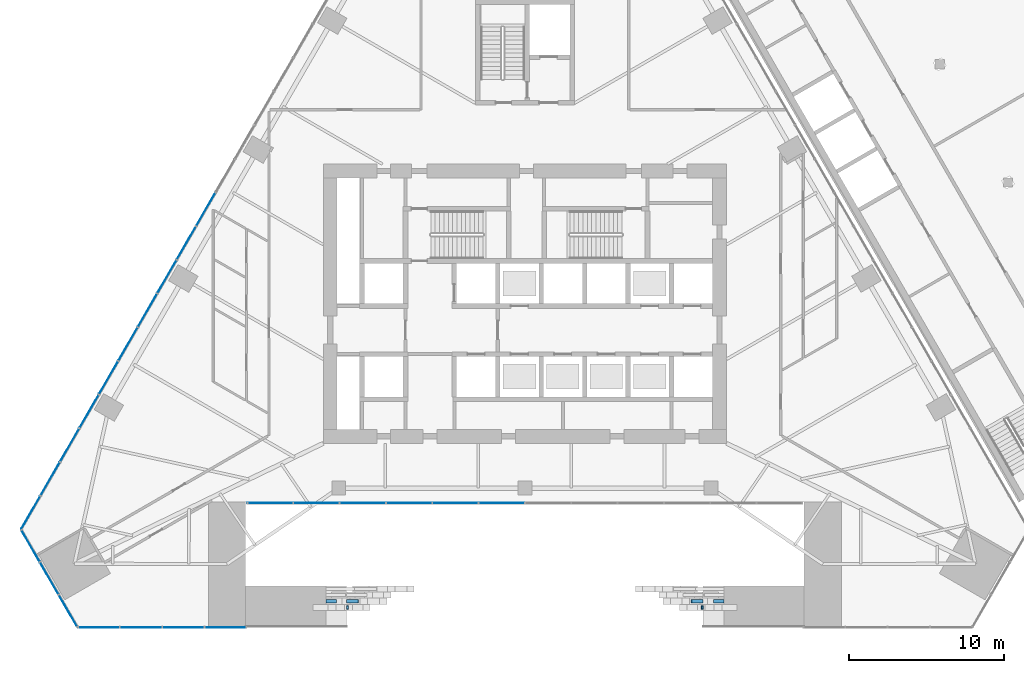
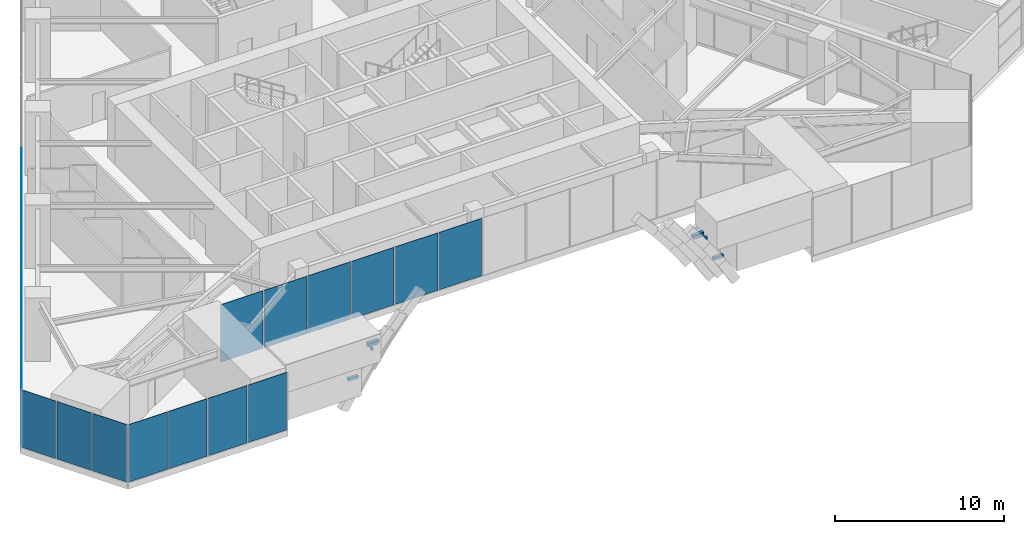
# One storey, part 14 of 29: 23 plates, 8 beams, 4 elements without a shape of their own.
"""IFC4 building model written with IfcOpenShell, lengths in metres."""

import ifcopenshell
import ifcopenshell.guid

model = None  # the IFC model being written
_history = None  # IfcOwnerHistory: only IFC2X3 demands one
_inside = {}  # id of a spatial element -> (the spatial element, [elements in it])
_under = {}  # id of a project, library or spatial element -> (it, [spatial elements below it])
_declared = {}  # id of a project -> (the project, [libraries it declares])
_typed = {}  # id of a type object -> (the type object, [elements of that type])
_made_of = {}  # id of a material, layer set ... -> (it, [elements and type objects made of it])


def new_model(schema):
    """Start an empty IFC model of exactly this schema.

    Asked for "IFC4X3", IfcOpenShell would pick the latest addendum, in which some entities
    have other attributes; the version numbers below select the first issue.
    IFC2X3 requires an IfcOwnerHistory on every rooted entity: one is made here for all.
    """
    global model, _history
    if schema == "IFC4X3":
        model = ifcopenshell.file(schema_version=(4, 3, 0, 0))
    else:
        model = ifcopenshell.file(schema=schema)
    _inside.clear()
    _under.clear()
    _declared.clear()
    _typed.clear()
    _made_of.clear()
    _history = None
    if model.schema == "IFC2X3":
        org = make("IfcOrganization", Name="unknown")
        user = make(
            "IfcPersonAndOrganization",
            ThePerson=make("IfcPerson", FamilyName="unknown"),
            TheOrganization=org,
        )
        app = make(
            "IfcApplication",
            ApplicationDeveloper=org,
            Version="unknown",
            ApplicationFullName="unknown",
            ApplicationIdentifier="unknown",
        )
        _history = make(
            "IfcOwnerHistory",
            OwningUser=user,
            OwningApplication=app,
            ChangeAction="ADDED",
            CreationDate=0,
        )
    return model


def make(cls, **values):
    """One entity of the class cls with the attributes given. An attribute that is None is left unset."""
    return model.create_entity(
        cls, **{name: value for name, value in values.items() if value is not None}
    )


def rooted(cls, **values):
    """An entity with a GlobalId (a new one), such as an element, a storey or a relation."""
    return make(cls, GlobalId=ifcopenshell.guid.new(), OwnerHistory=_history, **values)


def si_unit(unit_type, name, prefix=None):
    """IfcSIUnit, for example si_unit("LENGTHUNIT", "METRE", prefix="MILLI")."""
    return make("IfcSIUnit", UnitType=unit_type, Prefix=prefix, Name=name)


def assignment(units):
    """IfcUnitAssignment: the units of a project."""
    return None if units is None else make("IfcUnitAssignment", Units=units)


def point(xyz):
    """IfcCartesianPoint."""
    return None if xyz is None else make("IfcCartesianPoint", Coordinates=xyz)


def direction(xyz):
    """IfcDirection."""
    return None if xyz is None else make("IfcDirection", DirectionRatios=xyz)


def frame(location, z_axis=None, x_axis=None):
    """IfcAxis2Placement3D, a coordinate frame: its origin and axes. An axis left out is left unset."""
    return make(
        "IfcAxis2Placement3D",
        Location=point(location),
        Axis=direction(z_axis),
        RefDirection=direction(x_axis),
    )


def frame_2d(location, x_axis=None):
    """IfcAxis2Placement2D, a coordinate frame in the plane: its origin and x axis."""
    return make(
        "IfcAxis2Placement2D", Location=point(location), RefDirection=direction(x_axis)
    )


def origin():
    """The frame at (0, 0, 0) with its axes left unset."""
    return frame((0.0, 0.0, 0.0))


def origin_2d():
    """The frame at (0, 0) in the plane with its x axis left unset."""
    return frame_2d((0.0, 0.0))


def place(relative_to, where):
    """IfcLocalPlacement: puts the frame where relative to a parent placement (None: the world)."""
    return make(
        "IfcLocalPlacement", PlacementRelTo=relative_to, RelativePlacement=where
    )


def context(
    kind, dimensions, precision=None, world=None, true_north=None, identifier=None
):
    """IfcGeometricRepresentationContext, for example the 3D "Model" context."""
    return make(
        "IfcGeometricRepresentationContext",
        ContextIdentifier=identifier,
        ContextType=kind,
        CoordinateSpaceDimension=dimensions,
        Precision=precision,
        WorldCoordinateSystem=world,
        TrueNorth=true_north,
    )


def subcontext(parent, identifier, kind, view, scale=None):
    """IfcGeometricRepresentationSubContext, for example "Body" below "Model"."""
    return make(
        "IfcGeometricRepresentationSubContext",
        ContextIdentifier=identifier,
        ContextType=kind,
        ParentContext=parent,
        TargetScale=scale,
        TargetView=view,
    )


def project(units=None, contexts=None):
    """IfcProject with its units and contexts."""
    return rooted(
        "IfcProject",
        Name="project",
        RepresentationContexts=contexts,
        UnitsInContext=assignment(units),
    )


def spatial(cls, under=None, at=None, **own):
    """A site, building, storey or space (cls), placed at a placement, below another one or the project."""
    s = rooted(cls, ObjectPlacement=at, **own)
    if under is not None:
        _under.setdefault(under.id(), (under, []))[1].append(s)
    return s


def polyline(points):
    """IfcPolyline through the points."""
    return make("IfcPolyline", Points=[point(p) for p in points])


def profile(cls, at=None, kind="AREA", **sizes):
    """A parametric profile (cls). Its sizes go by their IFC names, for example OverallWidth=200.0."""
    return make(cls, ProfileType=kind, Position=at, **sizes)


def rectangle(**sizes):
    """IfcRectangleProfileDef."""
    return profile("IfcRectangleProfileDef", **sizes)


def outline(outer, holes=None, kind="AREA"):
    """IfcArbitraryClosedProfileDef: a profile drawn as a closed curve; with holes, ...WithVoids."""
    if holes is None:
        return make("IfcArbitraryClosedProfileDef", ProfileType=kind, OuterCurve=outer)
    return make(
        "IfcArbitraryProfileDefWithVoids",
        ProfileType=kind,
        OuterCurve=outer,
        InnerCurves=holes,
    )


def extrude(swept, where, along, depth):
    """IfcExtrudedAreaSolid: the profile swept, set in the frame where, extruded along a direction by depth."""
    return make(
        "IfcExtrudedAreaSolid",
        SweptArea=swept,
        Position=where,
        ExtrudedDirection=direction(along),
        Depth=depth,
    )


def shape(context_of_items, identifier, shape_type, items):
    """IfcShapeRepresentation: the items that make up one representation, for example the "Body"."""
    return make(
        "IfcShapeRepresentation",
        ContextOfItems=context_of_items,
        RepresentationIdentifier=identifier,
        RepresentationType=shape_type,
        Items=items,
    )


def material(Name=None, Category=None):
    """IfcMaterial."""
    return make("IfcMaterial", Name=Name, Category=Category)


def layer(
    of_material, thickness, ventilated=None, Name=None, Category=None, Priority=None
):
    """IfcMaterialLayer: one layer of a wall or slab, of a material (None: an air gap)."""
    return make(
        "IfcMaterialLayer",
        Material=of_material,
        LayerThickness=thickness,
        IsVentilated=ventilated,
        Name=Name,
        Category=Category,
        Priority=Priority,
    )


def layer_set(layers, Name=None):
    """IfcMaterialLayerSet."""
    return make("IfcMaterialLayerSet", MaterialLayers=layers, LayerSetName=Name)


def material_profile(
    of_material, cross_section, Name=None, Category=None, Priority=None
):
    """IfcMaterialProfile: a cross section and its material."""
    return make(
        "IfcMaterialProfile",
        Name=Name,
        Material=of_material,
        Profile=cross_section,
        Priority=Priority,
        Category=Category,
    )


def profile_set(profiles, Name=None, composite=None):
    """IfcMaterialProfileSet."""
    return make(
        "IfcMaterialProfileSet",
        Name=Name,
        MaterialProfiles=profiles,
        CompositeProfile=composite,
    )


def made_of(thing, what):
    """Note that an element or type object is made of a material, layer set ...; save() writes the relation."""
    if what is not None:
        _made_of.setdefault(what.id(), (what, []))[1].append(thing)
    return thing


def type_object(cls, material=None, **own):
    """A type object (cls), such as IfcWallType, which elements share."""
    return made_of(rooted(cls, **own), material)


def element(
    cls,
    number,
    at=None,
    inside=None,
    cuts=None,
    type_object=None,
    material=None,
    context=None,
    identifier="Body",
    shape_type=None,
    held_by="IfcProductDefinitionShape",
    body=None,
    shapes=None,
    **own,
):
    """One element of the class cls, such as IfcWall. Its Tag is "e" and its number.

    at: its placement. inside: the storey or other place that contains it. cuts: it is an
    opening in that element (IfcRelVoidsElement). A single representation is given by context,
    identifier, shape_type and body (its items); several are given by shapes. held_by: the class
    of the entity that holds the representations. save() writes the other relations.
    """
    e = rooted(cls, Tag="e%d" % number, ObjectPlacement=at, **own)
    if body is not None:
        shapes = [shape(context, identifier, shape_type, body)]
    if shapes is not None:
        e.Representation = make(held_by, Representations=shapes)
    if inside is not None:
        _inside.setdefault(inside.id(), (inside, []))[1].append(e)
    if cuts is not None:
        rooted(
            "IfcRelVoidsElement", RelatingBuildingElement=cuts, RelatedOpeningElement=e
        )
    if type_object is not None:
        _typed.setdefault(type_object.id(), (type_object, []))[1].append(e)
    return made_of(e, material)


def aggregate(whole, parts):
    """IfcRelAggregates: a whole, such as a stair, and the parts it consists of."""
    return rooted("IfcRelAggregates", RelatingObject=whole, RelatedObjects=parts)


def save(model, path):
    """Write the relations noted so far, then the file.

    IfcRelAggregates (storeys below a building ...), IfcRelContainedInSpatialStructure (elements
    in a storey), IfcRelDefinesByType, IfcRelAssociatesMaterial and IfcRelDeclares: one each for
    every whole, place, type object, material and project.
    """
    for whole, parts in _under.values():
        aggregate(whole, parts)
    for where, things in _inside.values():
        rooted(
            "IfcRelContainedInSpatialStructure",
            RelatedElements=things,
            RelatingStructure=where,
        )
    for kind, things in _typed.values():
        rooted("IfcRelDefinesByType", RelatedObjects=things, RelatingType=kind)
    for what, things in _made_of.values():
        rooted("IfcRelAssociatesMaterial", RelatedObjects=things, RelatingMaterial=what)
    for by, libraries in _declared.values():
        rooted("IfcRelDeclares", RelatingContext=by, RelatedDefinitions=libraries)
    model.write(path)


model = new_model("IFC4")

# Units and contexts
model_context = context("Model", 3, precision=1e-05, world=origin(), true_north=direction((0.0, 1.0)))
body_context = subcontext(model_context, "Body", "Model", "MODEL_VIEW")
ifc_project = project(units=[si_unit("LENGTHUNIT", "METRE"), si_unit("AREAUNIT", "SQUARE_METRE"), si_unit("VOLUMEUNIT", "CUBIC_METRE"), si_unit("PLANEANGLEUNIT", "RADIAN"), si_unit("MASSUNIT", "GRAM", prefix="KILO")], contexts=[model_context])

# Site, building, storey
site_placement = place(None, origin())
site = spatial("IfcSite", under=ifc_project, at=site_placement, CompositionType="ELEMENT")
building_placement = place(site_placement, origin())
building = spatial("IfcBuilding", under=site, at=building_placement, Name="Firuza Gate Tower and Library", CompositionType="ELEMENT")
storey_placement = place(building_placement, frame((0.0, 0.0, 17.199951171875)))
storey = spatial("IfcBuildingStorey", under=building, at=storey_placement, Name="L03", CompositionType="ELEMENT", Elevation=17.199951171875)

# Beams
ifc_material_1 = material(Name="Concrete C60/75", Category="concrete")
ifc_material_profile = material_profile(ifc_material_1, rectangle(XDim=0.199951171875, YDim=0.199951171875, at=origin_2d()))
ifc_profile_set = profile_set([ifc_material_profile], Name="Concrete C60/75")
beam_type = type_object("IfcBeamType", Name="Arch rib bracket 200x200", PredefinedType="BEAM", material=ifc_profile_set)
for number, where, z_axis, x_axis, name in (
    (1, (63.508056640625, 55.415283203125, 2.95947265625), (1.0, 0.0, 0.0), (0.0, 1.0, 0.0), "Arch rib bracket 1.12"),
    (2, (86.491943359375, 55.415283203125, 2.95947265625), (-1.0, 0.0, 0.0), (0.0, -1.0, 0.0), "Arch rib bracket 1.27"),
):
    element("IfcBeam", number, at=place(storey_placement, frame(where, z_axis=z_axis, x_axis=x_axis)), inside=storey, type_object=beam_type, Name=name, PredefinedType="BEAM", context=body_context, shape_type="SweptSolid", body=[
        extrude(rectangle(XDim=0.199951171875, YDim=0.199951171875, at=origin_2d()), origin(), (0.0, 0.0, 1.0), 0.117431640625),
    ])
beam_1_placement = place(storey_placement, frame((62.16552734375, 55.8154296875, 0.972900390625), z_axis=(1.0, 0.0, 0.0), x_axis=(0.0, 1.0, 0.0)))
element("IfcBeam", 3, at=beam_1_placement, inside=storey, type_object=beam_type, Name="Arch rib bracket 2.10", PredefinedType="BEAM", context=body_context, shape_type="SweptSolid", body=[
    extrude(rectangle(XDim=0.199951171875, YDim=0.199951171875, at=origin_2d()), origin(), (0.0, 0.0, 1.0), 0.682861328125),
])
beam_2_placement = place(storey_placement, frame((63.508056640625, 55.8154296875, 2.97119140625), z_axis=(1.0, 0.0, 0.0), x_axis=(0.0, 1.0, 0.0)))
element("IfcBeam", 4, at=beam_2_placement, inside=storey, type_object=beam_type, Name="Arch rib bracket 2.11", PredefinedType="BEAM", context=body_context, shape_type="SweptSolid", body=[
    extrude(rectangle(XDim=0.199951171875, YDim=0.199951171875, at=origin_2d()), origin(), (0.0, 0.0, 1.0), 0.7177734375),
])
for number, where, z_axis, x_axis, name in (
    (5, (63.508056640625, 55.8154296875, 3.0712890625), (1.0, 0.0, 0.0), (0.0, 1.0, 0.0), "Arch rib bracket 2.12"),
    (6, (86.491943359375, 55.8154296875, 3.0712890625), (-1.0, 0.0, 0.0), (0.0, -1.0, 0.0), "Arch rib bracket 2.25"),
):
    element("IfcBeam", number, at=place(storey_placement, frame(where, z_axis=z_axis, x_axis=x_axis)), inside=storey, type_object=beam_type, Name=name, PredefinedType="BEAM", context=body_context, shape_type="SweptSolid", body=[
        extrude(rectangle(XDim=0.199951171875, YDim=0.199951171875, at=origin_2d()), origin(), (0.0, 0.0, 1.0), 0.77685546875),
    ])
beam_3_placement = place(storey_placement, frame((86.491943359375, 55.8154296875, 2.97119140625), z_axis=(-1.0, 0.0, 0.0), x_axis=(0.0, -1.0, 0.0)))
element("IfcBeam", 7, at=beam_3_placement, inside=storey, type_object=beam_type, Name="Arch rib bracket 2.26", PredefinedType="BEAM", context=body_context, shape_type="SweptSolid", body=[
    extrude(rectangle(XDim=0.199951171875, YDim=0.199951171875, at=origin_2d()), origin(), (0.0, 0.0, 1.0), 0.7177734375),
])
beam_4_placement = place(storey_placement, frame((87.83447265625, 55.8154296875, 0.972900390625), z_axis=(-1.0, 0.0, 0.0), x_axis=(0.0, -1.0, 0.0)))
element("IfcBeam", 8, at=beam_4_placement, inside=storey, type_object=beam_type, Name="Arch rib bracket 2.27", PredefinedType="BEAM", context=body_context, shape_type="SweptSolid", body=[
    extrude(rectangle(XDim=0.199951171875, YDim=0.199951171875, at=origin_2d()), origin(), (0.0, 0.0, 1.0), 0.682861328125),
])

# Curtain wall, plates
ifc_material_2 = material(Name="Aluminium 6063-T6", Category="aluminium")
ifc_layer_1 = layer(ifc_material_2, 0.14990234375)
ifc_layer_set_1 = layer_set([ifc_layer_1], Name="Stick curtain wall, podium")
curtain_wall_type_1 = type_object("IfcCurtainWallType", Name="Stick curtain wall, podium", PredefinedType="NOTDEFINED", material=ifc_layer_set_1)
placement = place(storey_placement, origin())
curtain_wall_1 = element("IfcCurtainWall", 9, at=placement, inside=storey, type_object=curtain_wall_type_1, Name="CW5 L03 S", PredefinedType="NOTDEFINED")
ifc_material_3 = material(Name="Fritted glass", Category="glass")
ifc_layer_2 = layer(ifc_material_3, 0.030029296875)
ifc_layer_set_2 = layer_set([ifc_layer_2], Name="Clear glass unit, podium")
plate_type = type_object("IfcPlateType", Name="Clear glass unit, podium", PredefinedType="CURTAIN_PANEL", material=ifc_layer_set_2)
plate_1_placement = place(storey_placement, frame((46.19677734375, 54.12548828125, 0.150146484375), z_axis=(0.0, -1.0, 0.0), x_axis=(1.0, 0.0, 0.0)))
plate_1 = element("IfcPlate", 10, at=plate_1_placement, type_object=plate_type, Name="Glass unit", PredefinedType="CURTAIN_PANEL", context=body_context, shape_type="SweptSolid", body=[
    extrude(outline(polyline([(0.0, 0.0), (2.6494140625, 0.0), (2.6494140625, 4.14990234375), (0.0, 4.14990234375), (0.0, 0.0)])), origin(), (0.0, 0.0, -1.0), 0.030029296875),
])
plate_2_placement = place(storey_placement, frame((48.92626953125, 54.12548828125, 0.150146484375), z_axis=(0.0, -1.0, 0.0), x_axis=(1.0, 0.0, 0.0)))
plate_2 = element("IfcPlate", 11, at=plate_2_placement, type_object=plate_type, Name="Glass unit", PredefinedType="CURTAIN_PANEL", context=body_context, shape_type="SweptSolid", body=[
    extrude(outline(polyline([(0.0, 0.0), (2.649658203125, 0.0), (2.649658203125, 4.14990234375), (0.0, 4.14990234375), (0.0, 0.0)])), origin(), (0.0, 0.0, -1.0), 0.030029296875),
])
plate_3_placement = place(storey_placement, frame((51.65576171875, 54.12548828125, 0.150146484375), z_axis=(0.0, -1.0, 0.0), x_axis=(1.0, 0.0, 0.0)))
plate_3 = element("IfcPlate", 12, at=plate_3_placement, type_object=plate_type, Name="Glass unit", PredefinedType="CURTAIN_PANEL", context=body_context, shape_type="SweptSolid", body=[
    extrude(outline(polyline([(0.0, 0.0), (2.649658203125, 0.0), (2.649658203125, 4.14990234375), (0.0, 4.14990234375), (0.0, 0.0)])), origin(), (0.0, 0.0, -1.0), 0.030029296875),
])
plate_4_placement = place(storey_placement, frame((54.385498046875, 54.12548828125, 0.150146484375), z_axis=(0.0, -1.0, 0.0), x_axis=(1.0, 0.0, 0.0)))
plate_4 = element("IfcPlate", 13, at=plate_4_placement, type_object=plate_type, Name="Glass unit", PredefinedType="CURTAIN_PANEL", context=body_context, shape_type="SweptSolid", body=[
    extrude(outline(polyline([(0.0, 0.0), (2.6494140625, 0.0), (2.6494140625, 4.14990234375), (0.0, 4.14990234375), (0.0, 0.0)])), origin(), (0.0, 0.0, -1.0), 0.030029296875),
])
aggregate(curtain_wall_1, [plate_1, plate_2, plate_3, plate_4])

ifc_material_4 = material(Name="Aluminium 6063-T6", Category="aluminium")
ifc_layer_3 = layer(ifc_material_4, 0.14990234375)
ifc_layer_set_3 = layer_set([ifc_layer_3], Name="Stick curtain wall, gate lobby")
curtain_wall_type_2 = type_object("IfcCurtainWallType", Name="Stick curtain wall, gate lobby", PredefinedType="NOTDEFINED", material=ifc_layer_set_3)
curtain_wall_2 = element("IfcCurtainWall", 14, at=placement, inside=storey, type_object=curtain_wall_type_2, Name="CW7 L03 gate lobby", PredefinedType="NOTDEFINED")
plate_5_placement = place(storey_placement, frame((57.114990234375, 62.12548828125, 0.150146484375), z_axis=(0.0, -1.0, 0.0), x_axis=(1.0, 0.0, 0.0)))
plate_5 = element("IfcPlate", 15, at=plate_5_placement, type_object=plate_type, Name="Glass unit", PredefinedType="CURTAIN_PANEL", context=body_context, shape_type="SweptSolid", body=[
    extrude(outline(polyline([(0.0, 0.0), (2.907470703125, 0.0), (2.907470703125, 4.14990234375), (0.0, 4.14990234375), (0.0, 0.0)])), origin(), (0.0, 0.0, -1.0), 0.030029296875),
])
plate_6_placement = place(storey_placement, frame((60.1025390625, 62.12548828125, 0.150146484375), z_axis=(0.0, -1.0, 0.0), x_axis=(1.0, 0.0, 0.0)))
plate_6 = element("IfcPlate", 16, at=plate_6_placement, type_object=plate_type, Name="Glass unit", PredefinedType="CURTAIN_PANEL", context=body_context, shape_type="SweptSolid", body=[
    extrude(outline(polyline([(0.0, 0.0), (2.907470703125, 0.0), (2.907470703125, 4.14990234375), (0.0, 4.14990234375), (0.0, 0.0)])), origin(), (0.0, 0.0, -1.0), 0.030029296875),
])
plate_7_placement = place(storey_placement, frame((63.090087890625, 62.12548828125, 0.150146484375), z_axis=(0.0, -1.0, 0.0), x_axis=(1.0, 0.0, 0.0)))
plate_7 = element("IfcPlate", 17, at=plate_7_placement, type_object=plate_type, Name="Glass unit", PredefinedType="CURTAIN_PANEL", context=body_context, shape_type="SweptSolid", body=[
    extrude(outline(polyline([(0.0, 0.0), (2.907470703125, 0.0), (2.907470703125, 4.14990234375), (0.0, 4.14990234375), (0.0, 0.0)])), origin(), (0.0, 0.0, -1.0), 0.030029296875),
])
plate_8_placement = place(storey_placement, frame((66.077392578125, 62.12548828125, 0.150146484375), z_axis=(0.0, -1.0, 0.0), x_axis=(1.0, 0.0, 0.0)))
plate_8 = element("IfcPlate", 18, at=plate_8_placement, type_object=plate_type, Name="Glass unit", PredefinedType="CURTAIN_PANEL", context=body_context, shape_type="SweptSolid", body=[
    extrude(outline(polyline([(0.0, 0.0), (2.90771484375, 0.0), (2.90771484375, 4.14990234375), (0.0, 4.14990234375), (0.0, 0.0)])), origin(), (0.0, 0.0, -1.0), 0.030029296875),
])
plate_9_placement = place(storey_placement, frame((69.06494140625, 62.12548828125, 0.150146484375), z_axis=(0.0, -1.0, 0.0), x_axis=(1.0, 0.0, 0.0)))
plate_9 = element("IfcPlate", 19, at=plate_9_placement, type_object=plate_type, Name="Glass unit", PredefinedType="CURTAIN_PANEL", context=body_context, shape_type="SweptSolid", body=[
    extrude(outline(polyline([(0.0, 0.0), (2.907470703125, 0.0), (2.907470703125, 4.14990234375), (0.0, 4.14990234375), (0.0, 0.0)])), origin(), (0.0, 0.0, -1.0), 0.030029296875),
])
plate_10_placement = place(storey_placement, frame((72.052490234375, 62.12548828125, 0.150146484375), z_axis=(0.0, -1.0, 0.0), x_axis=(1.0, 0.0, 0.0)))
plate_10 = element("IfcPlate", 20, at=plate_10_placement, type_object=plate_type, Name="Glass unit", PredefinedType="CURTAIN_PANEL", context=body_context, shape_type="SweptSolid", body=[
    extrude(outline(polyline([(0.0, 0.0), (2.907470703125, 0.0), (2.907470703125, 4.14990234375), (0.0, 4.14990234375), (0.0, 0.0)])), origin(), (0.0, 0.0, -1.0), 0.030029296875),
])
aggregate(curtain_wall_2, [plate_5, plate_6, plate_7, plate_8, plate_9, plate_10])

curtain_wall_3 = element("IfcCurtainWall", 21, at=placement, inside=storey, type_object=curtain_wall_type_1, Name="CW5 L03 W", PredefinedType="NOTDEFINED")
plate_11_placement = place(storey_placement, frame((55.02099609375, 82.14453125, 0.150146484375), z_axis=(-0.866013120021, 0.500021275498, 0.0), x_axis=(-0.500021275498, -0.866013120021, 0.0)))
plate_11 = element("IfcPlate", 22, at=plate_11_placement, type_object=plate_type, Name="Glass unit", PredefinedType="CURTAIN_PANEL", context=body_context, shape_type="SweptSolid", body=[
    extrude(outline(polyline([(0.0, 0.0), (2.428119337352694, 0.0), (2.428119337352694, 4.149902343749999), (0.0, 4.149902343749999), (0.0, 0.0)])), origin(), (0.0, 0.0, -1.0), 0.030029296875),
])
plate_12_placement = place(storey_placement, frame((53.766845703125, 79.972412109375, 0.150146484375), z_axis=(-0.866056658381, 0.499945861543, 0.0), x_axis=(-0.499945861543, -0.866056658381, 0.0)))
plate_12 = element("IfcPlate", 23, at=plate_12_placement, type_object=plate_type, Name="Glass unit", PredefinedType="CURTAIN_PANEL", context=body_context, shape_type="SweptSolid", body=[
    extrude(outline(polyline([(0.0, 0.0), (2.4279972710515545, 0.0), (2.4279972710515545, 4.14990234375), (0.0, 4.14990234375), (0.0, 0.0)])), origin(), (0.0, 0.0, -1.0), 0.030029296875),
])
plate_13_placement = place(storey_placement, frame((52.512939453125, 77.80029296875, 0.150146484375), z_axis=(-0.866013120021, 0.500021275498, 0.0), x_axis=(-0.500021275498, -0.866013120021, 0.0)))
plate_13 = element("IfcPlate", 24, at=plate_13_placement, type_object=plate_type, Name="Glass unit", PredefinedType="CURTAIN_PANEL", context=body_context, shape_type="SweptSolid", body=[
    extrude(outline(polyline([(0.0, 0.0), (2.428119337352694, 0.0), (2.428119337352694, 4.149902343749999), (0.0, 4.149902343749999), (0.0, 0.0)])), origin(), (0.0, 0.0, -1.0), 0.030029296875),
])
plate_14_placement = place(storey_placement, frame((51.2587890625, 75.628173828125, 0.150146484375), z_axis=(-0.866013120021, 0.500021275498, 0.0), x_axis=(-0.500021275498, -0.866013120021, 0.0)))
plate_14 = element("IfcPlate", 25, at=plate_14_placement, type_object=plate_type, Name="Glass unit", PredefinedType="CURTAIN_PANEL", context=body_context, shape_type="SweptSolid", body=[
    extrude(outline(polyline([(0.0, 0.0), (2.428119337352694, 0.0), (2.428119337352694, 4.149902343749999), (0.0, 4.149902343749999), (0.0, 0.0)])), origin(), (0.0, 0.0, -1.0), 0.030029296875),
])
plate_15_placement = place(storey_placement, frame((50.004638671875, 73.4560546875, 0.150146484375), z_axis=(-0.866056658381, 0.499945861543, 0.0), x_axis=(-0.499945861543, -0.866056658381, 0.0)))
plate_15 = element("IfcPlate", 26, at=plate_15_placement, type_object=plate_type, Name="Glass unit", PredefinedType="CURTAIN_PANEL", context=body_context, shape_type="SweptSolid", body=[
    extrude(outline(polyline([(0.0, 0.0), (2.4279972710515545, 0.0), (2.4279972710515545, 4.14990234375), (0.0, 4.14990234375), (0.0, 0.0)])), origin(), (0.0, 0.0, -1.0), 0.030029296875),
])
plate_16_placement = place(storey_placement, frame((48.750732421875, 71.2841796875, 0.150146484375), z_axis=(-0.86603825568, 0.499977739203, 0.0), x_axis=(-0.499977739203, -0.86603825568, 0.0)))
plate_16 = element("IfcPlate", 27, at=plate_16_placement, type_object=plate_type, Name="Glass unit", PredefinedType="CURTAIN_PANEL", context=body_context, shape_type="SweptSolid", body=[
    extrude(outline(polyline([(0.0, 0.0), (2.428330769405526, 0.0), (2.428330769405526, 4.14990234375), (0.0, 4.14990234375), (0.0, 0.0)])), origin(), (0.0, 0.0, -1.0), 0.030029296875),
])
plate_17_placement = place(storey_placement, frame((47.49658203125, 69.112060546875, 0.150146484375), z_axis=(-0.866013120021, 0.500021275498, 0.0), x_axis=(-0.500021275498, -0.866013120021, 0.0)))
plate_17 = element("IfcPlate", 28, at=plate_17_placement, type_object=plate_type, Name="Glass unit", PredefinedType="CURTAIN_PANEL", context=body_context, shape_type="SweptSolid", body=[
    extrude(outline(polyline([(0.0, 0.0), (2.428119337352694, 0.0), (2.428119337352694, 4.149902343749999), (0.0, 4.149902343749999), (0.0, 0.0)])), origin(), (0.0, 0.0, -1.0), 0.030029296875),
])
plate_18_placement = place(storey_placement, frame((46.24267578125, 66.93994140625, 0.150146484375), z_axis=(-0.866013120021, 0.500021275498, 0.0), x_axis=(-0.500021275498, -0.866013120021, 0.0)))
plate_18 = element("IfcPlate", 29, at=plate_18_placement, type_object=plate_type, Name="Glass unit", PredefinedType="CURTAIN_PANEL", context=body_context, shape_type="SweptSolid", body=[
    extrude(outline(polyline([(0.0, 0.0), (2.428119337352694, 0.0), (2.428119337352694, 4.149902343749999), (0.0, 4.149902343749999), (0.0, 0.0)])), origin(), (0.0, 0.0, -1.0), 0.030029296875),
])
plate_19_placement = place(storey_placement, frame((44.988525390625, 64.767822265625, 0.150146484375), z_axis=(-0.866013120021, 0.500021275498, 0.0), x_axis=(-0.500021275498, -0.866013120021, 0.0)))
plate_19 = element("IfcPlate", 30, at=plate_19_placement, type_object=plate_type, Name="Glass unit", PredefinedType="CURTAIN_PANEL", context=body_context, shape_type="SweptSolid", body=[
    extrude(outline(polyline([(0.0, 0.0), (2.428119337352694, 0.0), (2.428119337352694, 4.149902343749999), (0.0, 4.149902343749999), (0.0, 0.0)])), origin(), (0.0, 0.0, -1.0), 0.030029296875),
])
plate_20_placement = place(storey_placement, frame((43.734375, 62.595703125, 0.150146484375), z_axis=(-0.866056658381, 0.499945861543, 0.0), x_axis=(-0.499945861543, -0.866056658381, 0.0)))
plate_20 = element("IfcPlate", 31, at=plate_20_placement, type_object=plate_type, Name="Glass unit", PredefinedType="CURTAIN_PANEL", context=body_context, shape_type="SweptSolid", body=[
    extrude(outline(polyline([(0.0, 0.0), (2.4279972710515545, 0.0), (2.4279972710515545, 4.14990234375), (0.0, 4.14990234375), (0.0, 0.0)])), origin(), (0.0, 0.0, -1.0), 0.030029296875),
])
aggregate(curtain_wall_3, [plate_11, plate_12, plate_13, plate_14, plate_15, plate_16, plate_17, plate_18, plate_19, plate_20])

curtain_wall_4 = element("IfcCurtainWall", 32, at=placement, inside=storey, type_object=curtain_wall_type_1, Name="CW5 L03 SW", PredefinedType="NOTDEFINED")
plate_21_placement = place(storey_placement, frame((42.5205078125, 60.40869140625, 0.150146484375), z_axis=(-0.866047116916, -0.499962389866, 0.0), x_axis=(0.499962389866, -0.866047116916, 0.0)))
plate_21 = element("IfcPlate", 33, at=plate_21_placement, type_object=plate_type, Name="Glass unit", PredefinedType="CURTAIN_PANEL", context=body_context, shape_type="SweptSolid", body=[
    extrude(outline(polyline([(0.0, 0.0), (2.3488094905771977, 0.0), (2.3488094905771977, 4.149902343750001), (0.0, 4.149902343750001), (0.0, 0.0)])), origin(), (0.0, 0.0, -1.0), 0.030029296875),
])
plate_22_placement = place(storey_placement, frame((43.73486328125, 58.30517578125, 0.150146484375), z_axis=(-0.866047116916, -0.499962389866, 0.0), x_axis=(0.499962389866, -0.866047116916, 0.0)))
plate_22 = element("IfcPlate", 34, at=plate_22_placement, type_object=plate_type, Name="Glass unit", PredefinedType="CURTAIN_PANEL", context=body_context, shape_type="SweptSolid", body=[
    extrude(outline(polyline([(0.0, 0.0), (2.3488094905771977, 0.0), (2.3488094905771977, 4.149902343750001), (0.0, 4.149902343750001), (0.0, 0.0)])), origin(), (0.0, 0.0, -1.0), 0.030029296875),
])
plate_23_placement = place(storey_placement, frame((44.94921875, 56.20166015625, 0.150146484375), z_axis=(-0.866002109674, -0.500040344412, 0.0), x_axis=(0.500040344412, -0.866002109674, 0.0)))
plate_23 = element("IfcPlate", 35, at=plate_23_placement, type_object=plate_type, Name="Glass unit", PredefinedType="CURTAIN_PANEL", context=body_context, shape_type="SweptSolid", body=[
    extrude(outline(polyline([(0.0, 0.0), (2.348931561223719, 0.0), (2.348931561223719, 4.14990234375), (0.0, 4.14990234375), (0.0, 0.0)])), origin(), (0.0, 0.0, -1.0), 0.030029296875),
])
aggregate(curtain_wall_4, [plate_21, plate_22, plate_23])

save(model, "model.ifc")
